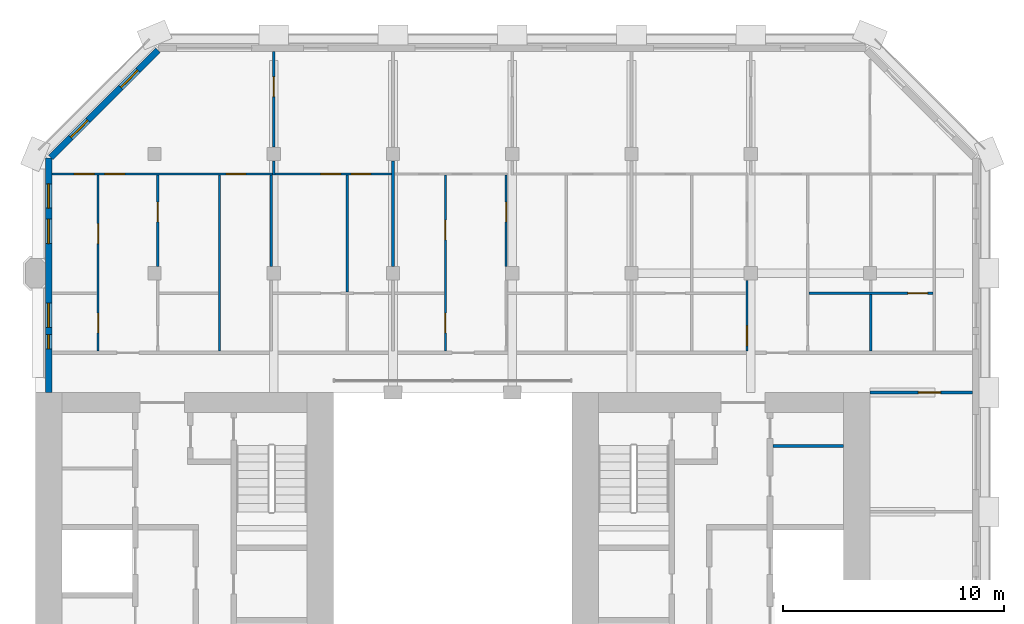
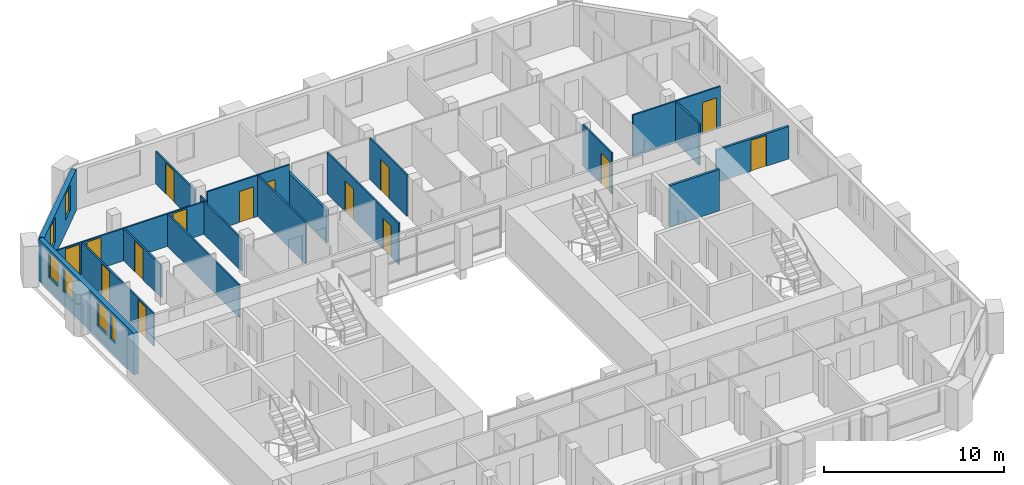
# One storey, part 8 of 13: 19 walls, 15 doors, 6 windows, 21 openings.
"""IFC4 building model written with IfcOpenShell, lengths in metres."""

from ifc_helpers import new_model, si_unit, direction, frame, frame_2d, origin, place, context, subcontext, project, spatial, rectangle, extrude, material, layer, layer_set, type_object, element, fill, save


model = new_model("IFC4")

# Units and contexts
model_context = context("Model", 3, precision=1e-05, world=origin(), true_north=direction((0.0, 1.0)))
body_context = subcontext(model_context, "Body", "Model", "MODEL_VIEW")
ifc_project = project(units=[si_unit("LENGTHUNIT", "METRE"), si_unit("AREAUNIT", "SQUARE_METRE"), si_unit("VOLUMEUNIT", "CUBIC_METRE"), si_unit("PLANEANGLEUNIT", "RADIAN"), si_unit("MASSUNIT", "GRAM", prefix="KILO")], contexts=[model_context])

# Site, building, storey
site_placement = place(None, origin())
site = spatial("IfcSite", under=ifc_project, at=site_placement, CompositionType="ELEMENT")
building_placement = place(site_placement, origin())
building = spatial("IfcBuilding", under=site, at=building_placement, Name="Tabaq Tower and Sports Hall", CompositionType="ELEMENT")
storey_placement = place(building_placement, frame((0.0, 0.0, 304.89990234375)))
storey = spatial("IfcBuildingStorey", under=building, at=storey_placement, Name="L76", CompositionType="ELEMENT", Elevation=304.89990234375)

# Wall
ifc_material_1 = material(Name="Blockwork", Category="masonry")
ifc_layer_1 = layer(ifc_material_1, 0.14990234375)
ifc_layer_set_1 = layer_set([ifc_layer_1], Name="Core room partition 150 Blockwork")
wall_type_1 = type_object("IfcWallType", Name="Core room partition 150 Blockwork", PredefinedType="PARTITIONING", material=ifc_layer_set_1)
wall_1_placement = place(storey_placement, frame((38.800048828125, 29.97705078125, 0.0), z_axis=(0.0, 0.0, 1.0), x_axis=(1.0, 0.0, 0.0)))
element("IfcWall", 1, at=wall_1_placement, inside=storey, type_object=wall_type_1, Name="Core room partition E L76", PredefinedType="PARTITIONING", context=body_context, shape_type="SweptSolid", body=[
    extrude(rectangle(XDim=3.199951171875, YDim=0.14990234375, at=frame_2d((1.60009765625, 0.0))), origin(), (0.0, 0.0, 1.0), 2.800048828125),
])

# Wall, openings, doors
ifc_material_2 = material(Name="Gypsum board on steel studs", Category="steel")
ifc_layer_2 = layer(ifc_material_2, 0.10009765625)
ifc_layer_set_2 = layer_set([ifc_layer_2], Name="Partition 100 Gypsum board")
wall_type_2 = type_object("IfcWallType", Name="Partition 100 Gypsum board", PredefinedType="PARTITIONING", material=ifc_layer_set_2)
wall_2_placement = place(storey_placement, frame((6.15087890625, 42.300048828125, 0.0), z_axis=(0.0, 0.0, 1.0), x_axis=(1.0, 0.0, 0.0)))
wall_2 = element("IfcWall", 2, at=wall_2_placement, inside=storey, type_object=wall_type_2, Name="Partition wall L76", PredefinedType="PARTITIONING", context=body_context, shape_type="SweptSolid", body=[
    extrude(rectangle(XDim=9.97900390625, YDim=0.10009765625, at=frame_2d((4.989501953125, 0.0))), origin(), (0.0, 0.0, 1.0), 2.2001953125),
])
opening_1_placement = place(wall_2_placement, frame((7.888916015625, 0.0, 0.0)))
opening_1 = element("IfcOpeningElement", 3, at=opening_1_placement, cuts=wall_2, Name="Opening L76-001", PredefinedType="OPENING", context=body_context, shape_type="SweptSolid", body=[
    extrude(rectangle(XDim=0.89990234375, YDim=2.10009765625, at=frame_2d((0.449951171875, 1.050048828125))), frame((0.0, 0.050048828125, 0.0), z_axis=(0.0, -1.0, 0.0), x_axis=(1.0, 0.0, 0.0)), (0.0, 0.0, 1.0), 0.10009765625),
])
opening_2_placement = place(wall_2_placement, frame((1.01904296875, 0.0, 0.0)))
opening_2 = element("IfcOpeningElement", 4, at=opening_2_placement, cuts=wall_2, Name="Opening L76-028", PredefinedType="OPENING", context=body_context, shape_type="SweptSolid", body=[
    extrude(rectangle(XDim=0.89990234375, YDim=2.10009765625, at=frame_2d((0.449951171875, 1.050048828125))), frame((0.0, 0.050048828125, 0.0), z_axis=(0.0, -1.0, 0.0), x_axis=(1.0, 0.0, 0.0)), (0.0, 0.0, 1.0), 0.10009765625),
])
opening_3_placement = place(wall_2_placement, frame((2.388916015625, 0.0, 0.0)))
opening_3 = element("IfcOpeningElement", 5, at=opening_3_placement, cuts=wall_2, Name="Opening L76-059", PredefinedType="OPENING", context=body_context, shape_type="SweptSolid", body=[
    extrude(rectangle(XDim=0.89990234375, YDim=2.10009765625, at=frame_2d((0.449951171875, 1.050048828125))), frame((0.0, 0.050048828125, 0.0), z_axis=(0.0, -1.0, 0.0), x_axis=(1.0, 0.0, 0.0)), (0.0, 0.0, 1.0), 0.10009765625),
])
ifc_material_3 = material(Name="Timber leaf in steel frame", Category="steel")
door_type_1 = type_object("IfcDoorType", Name="Internal door 900 left hand", OperationType="SINGLE_SWING_LEFT", PredefinedType="DOOR", material=ifc_material_3)
door_1_placement = place(opening_1_placement, origin())
door_1 = element("IfcDoor", 6, at=door_1_placement, inside=storey, type_object=door_type_1, Name="Internal door L76-001", OperationType="SINGLE_SWING_LEFT", OverallHeight=2.10009765625, OverallWidth=0.89990234375, PredefinedType="DOOR", context=body_context, shape_type="SweptSolid", body=[
    extrude(rectangle(XDim=0.89990234375, YDim=2.10009765625, at=frame_2d((0.449951171875, 1.050048828125))), frame((0.0, 0.02490234375, 0.0), z_axis=(0.0, -1.0, 0.0), x_axis=(1.0, 0.0, 0.0)), (0.0, 0.0, 1.0), 0.050048828125),
])
fill(opening_1, door_1)
door_2_placement = place(opening_3_placement, origin())
door_2 = element("IfcDoor", 7, at=door_2_placement, inside=storey, type_object=door_type_1, Name="Internal door L76-059", OperationType="SINGLE_SWING_LEFT", OverallHeight=2.10009765625, OverallWidth=0.89990234375, PredefinedType="DOOR", context=body_context, shape_type="SweptSolid", body=[
    extrude(rectangle(XDim=0.89990234375, YDim=2.10009765625, at=frame_2d((0.449951171875, 1.050048828125))), frame((0.0, 0.02490234375, 0.0), z_axis=(0.0, -1.0, 0.0), x_axis=(1.0, 0.0, 0.0)), (0.0, 0.0, 1.0), 0.050048828125),
])
fill(opening_3, door_2)
ifc_material_4 = material(Name="Timber leaf in steel frame", Category="steel")
door_type_2 = type_object("IfcDoorType", Name="Internal door 900 right hand", OperationType="SINGLE_SWING_RIGHT", PredefinedType="DOOR", material=ifc_material_4)
door_3_placement = place(opening_2_placement, origin())
door_3 = element("IfcDoor", 8, at=door_3_placement, inside=storey, type_object=door_type_2, Name="Internal door L76-028", OperationType="SINGLE_SWING_RIGHT", OverallHeight=2.10009765625, OverallWidth=0.89990234375, PredefinedType="DOOR", context=body_context, shape_type="SweptSolid", body=[
    extrude(rectangle(XDim=0.89990234375, YDim=2.10009765625, at=frame_2d((0.449951171875, 1.050048828125))), frame((0.0, 0.02490234375, 0.0), z_axis=(0.0, -1.0, 0.0), x_axis=(1.0, 0.0, 0.0)), (0.0, 0.0, 1.0), 0.050048828125),
])
fill(opening_2, door_3)

# Wall
wall_3_placement = place(storey_placement, frame((16.199951171875, 42.25, 0.0), z_axis=(0.0, 0.0, 1.0), x_axis=(0.0, 1.0, 0.0)))
element("IfcWall", 9, at=wall_3_placement, inside=storey, type_object=wall_type_2, Name="Partition wall L76", PredefinedType="PARTITIONING", context=body_context, shape_type="SweptSolid", body=[
    extrude(rectangle(XDim=0.6298828125, YDim=0.10009765625, at=frame_2d((0.31494140625, 0.0))), origin(), (0.0, 0.0, 1.0), 2.2001953125),
])

# Wall, opening, door
wall_4_placement = place(storey_placement, frame((16.199951171875, 43.52001953125, 0.0), z_axis=(0.0, 0.0, 1.0), x_axis=(0.0, 1.0, 0.0)))
wall_4 = element("IfcWall", 10, at=wall_4_placement, inside=storey, type_object=wall_type_2, Name="Partition wall L76", PredefinedType="PARTITIONING", context=body_context, shape_type="SweptSolid", body=[
    extrude(rectangle(XDim=4.3291015625, YDim=0.10009765625, at=frame_2d((2.16455078125, 0.0))), origin(), (0.0, 0.0, 1.0), 2.2001953125),
])
opening_4_placement = place(wall_4_placement, frame((2.280029296875, 0.0, 0.0)))
opening_4 = element("IfcOpeningElement", 11, at=opening_4_placement, cuts=wall_4, Name="Opening L76-051", PredefinedType="OPENING", context=body_context, shape_type="SweptSolid", body=[
    extrude(rectangle(XDim=0.89990234375, YDim=2.10009765625, at=frame_2d((0.449951171875, 1.050048828125))), frame((0.0, 0.050048828125, 0.0), z_axis=(0.0, -1.0, 0.0), x_axis=(1.0, 0.0, 0.0)), (0.0, 0.0, 1.0), 0.10009765625),
])
door_4_placement = place(opening_4_placement, origin())
door_4 = element("IfcDoor", 12, at=door_4_placement, inside=storey, type_object=door_type_2, Name="Internal door L76-051", OperationType="SINGLE_SWING_RIGHT", OverallHeight=2.10009765625, OverallWidth=0.89990234375, PredefinedType="DOOR", context=body_context, shape_type="SweptSolid", body=[
    extrude(rectangle(XDim=0.89990234375, YDim=2.10009765625, at=frame_2d((0.449951171875, 1.050048828125))), frame((0.0, 0.02490234375, 0.0), z_axis=(0.0, -1.0, 0.0), x_axis=(1.0, 0.0, 0.0)), (0.0, 0.0, 1.0), 0.050048828125),
])
fill(opening_4, door_4)

# Wall, openings, doors
wall_5_placement = place(storey_placement, frame((16.25, 42.300048828125, 0.0), z_axis=(0.0, 0.0, 1.0), x_axis=(1.0, 0.0, 0.0)))
wall_5 = element("IfcWall", 13, at=wall_5_placement, inside=storey, type_object=wall_type_2, Name="Partition wall L76", PredefinedType="PARTITIONING", context=body_context, shape_type="SweptSolid", body=[
    extrude(rectangle(XDim=5.27490234375, YDim=0.10009765625, at=frame_2d((2.637451171875, 0.0))), origin(), (0.0, 0.0, 1.0), 2.800048828125),
])
opening_5_placement = place(wall_5_placement, frame((2.080078125, 0.0, 0.0)))
opening_5 = element("IfcOpeningElement", 14, at=opening_5_placement, cuts=wall_5, Name="Opening L76-029", PredefinedType="OPENING", context=body_context, shape_type="SweptSolid", body=[
    extrude(rectangle(XDim=0.89990234375, YDim=2.10009765625, at=frame_2d((0.449951171875, 1.050048828125))), frame((0.0, 0.050048828125, 0.0), z_axis=(0.0, -1.0, 0.0), x_axis=(1.0, 0.0, 0.0)), (0.0, 0.0, 1.0), 0.10009765625),
])
opening_6_placement = place(wall_5_placement, frame((3.449951171875, 0.0, 0.0)))
opening_6 = element("IfcOpeningElement", 15, at=opening_6_placement, cuts=wall_5, Name="Opening L76-030", PredefinedType="OPENING", context=body_context, shape_type="SweptSolid", body=[
    extrude(rectangle(XDim=0.89990234375, YDim=2.10009765625, at=frame_2d((0.449951171875, 1.050048828125))), frame((0.0, 0.050048828125, 0.0), z_axis=(0.0, -1.0, 0.0), x_axis=(1.0, 0.0, 0.0)), (0.0, 0.0, 1.0), 0.10009765625),
])
door_5_placement = place(opening_6_placement, origin())
door_5 = element("IfcDoor", 16, at=door_5_placement, inside=storey, type_object=door_type_1, Name="Internal door L76-030", OperationType="SINGLE_SWING_LEFT", OverallHeight=2.10009765625, OverallWidth=0.89990234375, PredefinedType="DOOR", context=body_context, shape_type="SweptSolid", body=[
    extrude(rectangle(XDim=0.89990234375, YDim=2.10009765625, at=frame_2d((0.449951171875, 1.050048828125))), frame((0.0, 0.02490234375, 0.0), z_axis=(0.0, -1.0, 0.0), x_axis=(1.0, 0.0, 0.0)), (0.0, 0.0, 1.0), 0.050048828125),
])
fill(opening_6, door_5)
door_6_placement = place(opening_5_placement, origin())
door_6 = element("IfcDoor", 17, at=door_6_placement, inside=storey, type_object=door_type_2, Name="Internal door L76-029", OperationType="SINGLE_SWING_RIGHT", OverallHeight=2.10009765625, OverallWidth=0.89990234375, PredefinedType="DOOR", context=body_context, shape_type="SweptSolid", body=[
    extrude(rectangle(XDim=0.89990234375, YDim=2.10009765625, at=frame_2d((0.449951171875, 1.050048828125))), frame((0.0, 0.02490234375, 0.0), z_axis=(0.0, -1.0, 0.0), x_axis=(1.0, 0.0, 0.0)), (0.0, 0.0, 1.0), 0.050048828125),
])
fill(opening_5, door_6)

wall_6_placement = place(storey_placement, frame((8.239990234375, 34.27490234375, 0.0), z_axis=(0.0, 0.0, 1.0), x_axis=(0.0, 1.0, 0.0)))
wall_6 = element("IfcWall", 18, at=wall_6_placement, inside=storey, type_object=wall_type_2, Name="Partition wall L76", PredefinedType="PARTITIONING", context=body_context, shape_type="SweptSolid", body=[
    extrude(rectangle(XDim=7.97509765625, YDim=0.10009765625, at=frame_2d((3.987548828125, 0.0))), origin(), (0.0, 0.0, 1.0), 2.2001953125),
])
opening_7_placement = place(wall_6_placement, frame((0.824951171875, 0.0, 0.0)))
opening_7 = element("IfcOpeningElement", 19, at=opening_7_placement, cuts=wall_6, Name="Opening L76-002", PredefinedType="OPENING", context=body_context, shape_type="SweptSolid", body=[
    extrude(rectangle(XDim=0.89990234375, YDim=2.10009765625, at=frame_2d((0.449951171875, 1.050048828125))), frame((0.0, 0.050048828125, 0.0), z_axis=(0.0, -1.0, 0.0), x_axis=(1.0, 0.0, 0.0)), (0.0, 0.0, 1.0), 0.10009765625),
])
opening_8_placement = place(wall_6_placement, frame((4.875, 0.0, 0.0)))
opening_8 = element("IfcOpeningElement", 20, at=opening_8_placement, cuts=wall_6, Name="Opening L76-031", PredefinedType="OPENING", context=body_context, shape_type="SweptSolid", body=[
    extrude(rectangle(XDim=0.89990234375, YDim=2.10009765625, at=frame_2d((0.449951171875, 1.050048828125))), frame((0.0, 0.050048828125, 0.0), z_axis=(0.0, -1.0, 0.0), x_axis=(1.0, 0.0, 0.0)), (0.0, 0.0, 1.0), 0.10009765625),
])
door_7_placement = place(opening_7_placement, origin())
door_7 = element("IfcDoor", 21, at=door_7_placement, inside=storey, type_object=door_type_1, Name="Internal door L76-002", OperationType="SINGLE_SWING_LEFT", OverallHeight=2.10009765625, OverallWidth=0.89990234375, PredefinedType="DOOR", context=body_context, shape_type="SweptSolid", body=[
    extrude(rectangle(XDim=0.89990234375, YDim=2.10009765625, at=frame_2d((0.449951171875, 1.050048828125))), frame((0.0, 0.02490234375, 0.0), z_axis=(0.0, -1.0, 0.0), x_axis=(1.0, 0.0, 0.0)), (0.0, 0.0, 1.0), 0.050048828125),
])
fill(opening_7, door_7)
door_8_placement = place(opening_8_placement, origin())
door_8 = element("IfcDoor", 22, at=door_8_placement, inside=storey, type_object=door_type_2, Name="Internal door L76-031", OperationType="SINGLE_SWING_RIGHT", OverallHeight=2.10009765625, OverallWidth=0.89990234375, PredefinedType="DOOR", context=body_context, shape_type="SweptSolid", body=[
    extrude(rectangle(XDim=0.89990234375, YDim=2.10009765625, at=frame_2d((0.449951171875, 1.050048828125))), frame((0.0, 0.02490234375, 0.0), z_axis=(0.0, -1.0, 0.0), x_axis=(1.0, 0.0, 0.0)), (0.0, 0.0, 1.0), 0.050048828125),
])
fill(opening_8, door_8)

# Wall, opening, door
wall_7_placement = place(storey_placement, frame((10.93994140625, 38.1201171875, 0.0), z_axis=(0.0, 0.0, 1.0), x_axis=(0.0, 1.0, 0.0)))
wall_7 = element("IfcWall", 23, at=wall_7_placement, inside=storey, type_object=wall_type_2, Name="Partition wall L76", PredefinedType="PARTITIONING", context=body_context, shape_type="SweptSolid", body=[
    extrude(rectangle(XDim=4.1298828125, YDim=0.10009765625, at=frame_2d((2.06494140625, 0.0))), origin(), (0.0, 0.0, 1.0), 2.2001953125),
])
opening_9_placement = place(wall_7_placement, frame((2.0048828125, 0.0, 0.0)))
opening_9 = element("IfcOpeningElement", 24, at=opening_9_placement, cuts=wall_7, Name="Opening L76-003", PredefinedType="OPENING", context=body_context, shape_type="SweptSolid", body=[
    extrude(rectangle(XDim=0.89990234375, YDim=2.10009765625, at=frame_2d((0.449951171875, 1.050048828125))), frame((0.0, 0.050048828125, 0.0), z_axis=(0.0, -1.0, 0.0), x_axis=(1.0, 0.0, 0.0)), (0.0, 0.0, 1.0), 0.10009765625),
])
door_9_placement = place(opening_9_placement, origin())
door_9 = element("IfcDoor", 25, at=door_9_placement, inside=storey, type_object=door_type_2, Name="Internal door L76-003", OperationType="SINGLE_SWING_RIGHT", OverallHeight=2.10009765625, OverallWidth=0.89990234375, PredefinedType="DOOR", context=body_context, shape_type="SweptSolid", body=[
    extrude(rectangle(XDim=0.89990234375, YDim=2.10009765625, at=frame_2d((0.449951171875, 1.050048828125))), frame((0.0, 0.02490234375, 0.0), z_axis=(0.0, -1.0, 0.0), x_axis=(1.0, 0.0, 0.0)), (0.0, 0.0, 1.0), 0.050048828125),
])
fill(opening_9, door_9)

# Walls
wall_8_placement = place(storey_placement, frame((13.739990234375, 34.27490234375, 0.0), z_axis=(0.0, 0.0, 1.0), x_axis=(0.0, 1.0, 0.0)))
element("IfcWall", 26, at=wall_8_placement, inside=storey, type_object=wall_type_2, Name="Partition wall L76", PredefinedType="PARTITIONING", context=body_context, shape_type="SweptSolid", body=[
    extrude(rectangle(XDim=7.97509765625, YDim=0.10009765625, at=frame_2d((3.987548828125, 0.0))), origin(), (0.0, 0.0, 1.0), 2.2001953125),
])
wall_9_placement = place(storey_placement, frame((16.080078125, 38.1201171875, 0.0), z_axis=(0.0, 0.0, 1.0), x_axis=(0.0, 1.0, 0.0)))
element("IfcWall", 27, at=wall_9_placement, inside=storey, type_object=wall_type_2, Name="Partition wall L76", PredefinedType="PARTITIONING", context=body_context, shape_type="SweptSolid", body=[
    extrude(rectangle(XDim=4.1298828125, YDim=0.10009765625, at=frame_2d((2.06494140625, 0.0))), origin(), (0.0, 0.0, 1.0), 2.2001953125),
])
wall_10_placement = place(storey_placement, frame((19.530029296875, 36.949951171875, 0.0), z_axis=(0.0, 0.0, 1.0), x_axis=(0.0, 1.0, 0.0)))
element("IfcWall", 28, at=wall_10_placement, inside=storey, type_object=wall_type_2, Name="Partition wall L76", PredefinedType="PARTITIONING", context=body_context, shape_type="SweptSolid", body=[
    extrude(rectangle(XDim=5.300048828125, YDim=0.10009765625, at=frame_2d((2.64990234375, 0.0))), origin(), (0.0, 0.0, 1.0), 2.800048828125),
])

# Wall, openings, doors
wall_11_placement = place(storey_placement, frame((23.971923828125, 34.27490234375, 0.0), z_axis=(0.0, 0.0, 1.0), x_axis=(0.0, 1.0, 0.0)))
wall_11 = element("IfcWall", 29, at=wall_11_placement, inside=storey, type_object=wall_type_2, Name="Partition wall L76", PredefinedType="PARTITIONING", context=body_context, shape_type="SweptSolid", body=[
    extrude(rectangle(XDim=7.97509765625, YDim=0.10009765625, at=frame_2d((3.987548828125, 0.0))), origin(), (0.0, 0.0, 1.0), 2.800048828125),
])
opening_10_placement = place(wall_11_placement, frame((0.824951171875, 0.0, 0.0)))
opening_10 = element("IfcOpeningElement", 30, at=opening_10_placement, cuts=wall_11, Name="Opening L76-007", PredefinedType="OPENING", context=body_context, shape_type="SweptSolid", body=[
    extrude(rectangle(XDim=0.89990234375, YDim=2.10009765625, at=frame_2d((0.449951171875, 1.050048828125))), frame((0.0, 0.050048828125, 0.0), z_axis=(0.0, -1.0, 0.0), x_axis=(1.0, 0.0, 0.0)), (0.0, 0.0, 1.0), 0.10009765625),
])
opening_11_placement = place(wall_11_placement, frame((5.037109375, 0.0, 0.0)))
opening_11 = element("IfcOpeningElement", 31, at=opening_11_placement, cuts=wall_11, Name="Opening L76-035", PredefinedType="OPENING", context=body_context, shape_type="SweptSolid", body=[
    extrude(rectangle(XDim=0.89990234375, YDim=2.10009765625, at=frame_2d((0.449951171875, 1.050048828125))), frame((0.0, 0.050048828125, 0.0), z_axis=(0.0, -1.0, 0.0), x_axis=(1.0, 0.0, 0.0)), (0.0, 0.0, 1.0), 0.10009765625),
])
door_10_placement = place(opening_11_placement, origin())
door_10 = element("IfcDoor", 32, at=door_10_placement, inside=storey, type_object=door_type_1, Name="Internal door L76-035", OperationType="SINGLE_SWING_LEFT", OverallHeight=2.10009765625, OverallWidth=0.89990234375, PredefinedType="DOOR", context=body_context, shape_type="SweptSolid", body=[
    extrude(rectangle(XDim=0.89990234375, YDim=2.10009765625, at=frame_2d((0.449951171875, 1.050048828125))), frame((0.0, 0.02490234375, 0.0), z_axis=(0.0, -1.0, 0.0), x_axis=(1.0, 0.0, 0.0)), (0.0, 0.0, 1.0), 0.050048828125),
])
fill(opening_11, door_10)
door_11_placement = place(opening_10_placement, origin())
door_11 = element("IfcDoor", 33, at=door_11_placement, inside=storey, type_object=door_type_2, Name="Internal door L76-007", OperationType="SINGLE_SWING_RIGHT", OverallHeight=2.10009765625, OverallWidth=0.89990234375, PredefinedType="DOOR", context=body_context, shape_type="SweptSolid", body=[
    extrude(rectangle(XDim=0.89990234375, YDim=2.10009765625, at=frame_2d((0.449951171875, 1.050048828125))), frame((0.0, 0.02490234375, 0.0), z_axis=(0.0, -1.0, 0.0), x_axis=(1.0, 0.0, 0.0)), (0.0, 0.0, 1.0), 0.050048828125),
])
fill(opening_10, door_11)

# Wall, opening, door
wall_12_placement = place(storey_placement, frame((26.721923828125, 38.1201171875, 0.0), z_axis=(0.0, 0.0, 1.0), x_axis=(0.0, 1.0, 0.0)))
wall_12 = element("IfcWall", 34, at=wall_12_placement, inside=storey, type_object=wall_type_2, Name="Partition wall L76", PredefinedType="PARTITIONING", context=body_context, shape_type="SweptSolid", body=[
    extrude(rectangle(XDim=4.1298828125, YDim=0.10009765625, at=frame_2d((2.06494140625, 0.0))), origin(), (0.0, 0.0, 1.0), 2.800048828125),
])
opening_12_placement = place(wall_12_placement, frame((2.0048828125, 0.0, 0.0)))
opening_12 = element("IfcOpeningElement", 35, at=opening_12_placement, cuts=wall_12, Name="Opening L76-008", PredefinedType="OPENING", context=body_context, shape_type="SweptSolid", body=[
    extrude(rectangle(XDim=0.89990234375, YDim=2.10009765625, at=frame_2d((0.449951171875, 1.050048828125))), frame((0.0, 0.050048828125, 0.0), z_axis=(0.0, -1.0, 0.0), x_axis=(1.0, 0.0, 0.0)), (0.0, 0.0, 1.0), 0.10009765625),
])
door_12_placement = place(opening_12_placement, origin())
door_12 = element("IfcDoor", 36, at=door_12_placement, inside=storey, type_object=door_type_1, Name="Internal door L76-008", OperationType="SINGLE_SWING_LEFT", OverallHeight=2.10009765625, OverallWidth=0.89990234375, PredefinedType="DOOR", context=body_context, shape_type="SweptSolid", body=[
    extrude(rectangle(XDim=0.89990234375, YDim=2.10009765625, at=frame_2d((0.449951171875, 1.050048828125))), frame((0.0, 0.02490234375, 0.0), z_axis=(0.0, -1.0, 0.0), x_axis=(1.0, 0.0, 0.0)), (0.0, 0.0, 1.0), 0.050048828125),
])
fill(opening_12, door_12)

wall_13_placement = place(storey_placement, frame((37.635009765625, 34.27490234375, 0.0), z_axis=(0.0, 0.0, 1.0), x_axis=(0.0, 1.0, 0.0)))
wall_13 = element("IfcWall", 37, at=wall_13_placement, inside=storey, type_object=wall_type_2, Name="Partition wall L76", PredefinedType="PARTITIONING", context=body_context, shape_type="SweptSolid", body=[
    extrude(rectangle(XDim=3.205078125, YDim=0.10009765625, at=frame_2d((1.6025390625, 0.0))), origin(), (0.0, 0.0, 1.0), 2.800048828125),
])
opening_13_placement = place(wall_13_placement, frame((0.25, 0.0, 0.0)))
opening_13 = element("IfcOpeningElement", 38, at=opening_13_placement, cuts=wall_13, Name="Opening L76-014", PredefinedType="OPENING", context=body_context, shape_type="SweptSolid", body=[
    extrude(rectangle(XDim=0.89990234375, YDim=2.10009765625, at=frame_2d((0.449951171875, 1.050048828125))), frame((0.0, 0.050048828125, 0.0), z_axis=(0.0, -1.0, 0.0), x_axis=(1.0, 0.0, 0.0)), (0.0, 0.0, 1.0), 0.10009765625),
])
door_13_placement = place(opening_13_placement, origin())
door_13 = element("IfcDoor", 39, at=door_13_placement, inside=storey, type_object=door_type_1, Name="Internal door L76-014", OperationType="SINGLE_SWING_LEFT", OverallHeight=2.10009765625, OverallWidth=0.89990234375, PredefinedType="DOOR", context=body_context, shape_type="SweptSolid", body=[
    extrude(rectangle(XDim=0.89990234375, YDim=2.10009765625, at=frame_2d((0.449951171875, 1.050048828125))), frame((0.0, 0.02490234375, 0.0), z_axis=(0.0, -1.0, 0.0), x_axis=(1.0, 0.0, 0.0)), (0.0, 0.0, 1.0), 0.050048828125),
])
fill(opening_13, door_13)

# Wall
wall_14_placement = place(storey_placement, frame((43.235107421875, 34.27490234375, 0.0), z_axis=(0.0, 0.0, 1.0), x_axis=(0.0, 1.0, 0.0)))
element("IfcWall", 40, at=wall_14_placement, inside=storey, type_object=wall_type_2, Name="Partition wall L76", PredefinedType="PARTITIONING", context=body_context, shape_type="SweptSolid", body=[
    extrude(rectangle(XDim=2.5751953125, YDim=0.10009765625, at=frame_2d((1.28759765625, 0.0))), origin(), (0.0, 0.0, 1.0), 2.800048828125),
])

# Wall, opening, door
wall_15_placement = place(storey_placement, frame((40.43505859375, 36.89990234375, 0.0), z_axis=(0.0, 0.0, 1.0), x_axis=(1.0, 0.0, 0.0)))
wall_15 = element("IfcWall", 41, at=wall_15_placement, inside=storey, type_object=wall_type_2, Name="Partition wall L76", PredefinedType="PARTITIONING", context=body_context, shape_type="SweptSolid", body=[
    extrude(rectangle(XDim=5.6298828125, YDim=0.10009765625, at=frame_2d((2.81494140625, 0.0))), origin(), (0.0, 0.0, 1.0), 2.800048828125),
])
opening_14_placement = place(wall_15_placement, frame((4.47998046875, 0.0, 0.0)))
opening_14 = element("IfcOpeningElement", 42, at=opening_14_placement, cuts=wall_15, Name="Opening L76-017", PredefinedType="OPENING", context=body_context, shape_type="SweptSolid", body=[
    extrude(rectangle(XDim=0.89990234375, YDim=2.10009765625, at=frame_2d((0.449951171875, 1.050048828125))), frame((0.0, 0.050048828125, 0.0), z_axis=(0.0, -1.0, 0.0), x_axis=(1.0, 0.0, 0.0)), (0.0, 0.0, 1.0), 0.10009765625),
])
door_14_placement = place(opening_14_placement, origin())
door_14 = element("IfcDoor", 43, at=door_14_placement, inside=storey, type_object=door_type_1, Name="Internal door L76-017", OperationType="SINGLE_SWING_LEFT", OverallHeight=2.10009765625, OverallWidth=0.89990234375, PredefinedType="DOOR", context=body_context, shape_type="SweptSolid", body=[
    extrude(rectangle(XDim=0.89990234375, YDim=2.10009765625, at=frame_2d((0.449951171875, 1.050048828125))), frame((0.0, 0.02490234375, 0.0), z_axis=(0.0, -1.0, 0.0), x_axis=(1.0, 0.0, 0.0)), (0.0, 0.0, 1.0), 0.050048828125),
])
fill(opening_14, door_14)

# Wall
ifc_material_5 = material(Name="Blockwork", Category="masonry")
ifc_layer_3 = layer(ifc_material_5, 0.14990234375)
ifc_layer_set_3 = layer_set([ifc_layer_3], Name="Separating wall 150 Blockwork")
wall_type_3 = type_object("IfcWallType", Name="Separating wall 150 Blockwork", PredefinedType="PARTITIONING", material=ifc_layer_set_3)
wall_16_placement = place(storey_placement, frame((21.60009765625, 38.1201171875, 0.0), z_axis=(0.0, 0.0, 1.0), x_axis=(0.0, 1.0, 0.0)))
element("IfcWall", 44, at=wall_16_placement, inside=storey, type_object=wall_type_3, Name="Separating wall L76", PredefinedType="PARTITIONING", context=body_context, shape_type="SweptSolid", body=[
    extrude(rectangle(XDim=4.759765625, YDim=0.14990234375, at=frame_2d((2.3798828125, 0.0))), origin(), (0.0, 0.0, 1.0), 2.2001953125),
])

# Wall, opening, door
wall_17_placement = place(storey_placement, frame((47.84912109375, 32.39990234375, 0.0), z_axis=(0.0, 0.0, 1.0), x_axis=(-1.0, 0.0, 0.0)))
wall_17 = element("IfcWall", 45, at=wall_17_placement, inside=storey, type_object=wall_type_3, Name="Separating wall L76", PredefinedType="PARTITIONING", context=body_context, shape_type="SweptSolid", body=[
    extrude(rectangle(XDim=4.649169921875, YDim=0.14990234375, at=frame_2d((2.32470703125, 0.0))), origin(), (0.0, 0.0, 1.0), 2.2001953125),
])
opening_15_placement = place(wall_17_placement, frame((1.448974609375, 0.0, 0.0)))
opening_15 = element("IfcOpeningElement", 46, at=opening_15_placement, cuts=wall_17, Name="Opening L76-018", PredefinedType="OPENING", context=body_context, shape_type="SweptSolid", body=[
    extrude(rectangle(XDim=1.0, YDim=2.10009765625, at=frame_2d((0.5, 1.050048828125))), frame((0.0, 0.074951171875, 0.0), z_axis=(0.0, -1.0, 0.0), x_axis=(1.0, 0.0, 0.0)), (0.0, 0.0, 1.0), 0.14990234375),
])
ifc_material_6 = material(Name="Timber leaf in steel frame", Category="steel")
door_type_3 = type_object("IfcDoorType", Name="Internal door 1000 left hand", OperationType="SINGLE_SWING_LEFT", PredefinedType="DOOR", material=ifc_material_6)
door_15_placement = place(opening_15_placement, origin())
door_15 = element("IfcDoor", 47, at=door_15_placement, inside=storey, type_object=door_type_3, Name="Internal door L76-018", OperationType="SINGLE_SWING_LEFT", OverallHeight=2.10009765625, OverallWidth=1.0, PredefinedType="DOOR", context=body_context, shape_type="SweptSolid", body=[
    extrude(rectangle(XDim=1.0, YDim=2.10009765625, at=frame_2d((0.5, 1.050048828125))), frame((0.0, 0.02490234375, 0.0), z_axis=(0.0, -1.0, 0.0), x_axis=(1.0, 0.0, 0.0)), (0.0, 0.0, 1.0), 0.050048828125),
])
fill(opening_15, door_15)

# Wall, openings, windows
ifc_material_7 = material(Name="White precast concrete C60/75", Category="concrete")
ifc_layer_4 = layer(ifc_material_7, 0.300048828125)
ifc_layer_set_4 = layer_set([ifc_layer_4], Name="White precast concrete C60/75 external wall 300")
wall_type_4 = type_object("IfcWallType", Name="White precast concrete C60/75 external wall 300", PredefinedType="SOLIDWALL", material=ifc_layer_set_4)
wall_18_placement = place(storey_placement, frame((10.949462890625, 47.901123046875, 0.0), z_axis=(0.0, 0.0, 1.0), x_axis=(-0.707106781187, -0.707106781187, 0.0)))
wall_18 = element("IfcWall", 48, at=wall_18_placement, inside=storey, type_object=wall_type_4, Name="External Wall L76 NW", PredefinedType="SOLIDWALL", context=body_context, shape_type="SweptSolid", body=[
    extrude(rectangle(XDim=6.85986328125, YDim=0.300048828125, at=frame_2d((3.429931640625, 0.0))), origin(), (0.0, 0.0, 1.0), 2.800048828125),
])
opening_16_placement = place(wall_18_placement, frame((1.27978515625, 0.0, 0.89990234375)))
opening_16 = element("IfcOpeningElement", 49, at=opening_16_placement, cuts=wall_18, Name="Opening W1B", PredefinedType="OPENING", context=body_context, shape_type="SweptSolid", body=[
    extrude(rectangle(XDim=1.10009765625, YDim=1.699951171875, at=frame_2d((0.550048828125, 0.85009765625))), frame((0.0, 0.16015625, 0.0), z_axis=(0.0, -1.0, 0.0), x_axis=(1.0, 0.0, 0.0)), (0.0, 0.0, 1.0), 0.320068359375),
])
opening_17_placement = place(wall_18_placement, frame((4.479736328125, 0.0, 0.89990234375)))
opening_17 = element("IfcOpeningElement", 50, at=opening_17_placement, cuts=wall_18, Name="Opening W1B", PredefinedType="OPENING", context=body_context, shape_type="SweptSolid", body=[
    extrude(rectangle(XDim=1.10009765625, YDim=1.699951171875, at=frame_2d((0.550048828125, 0.85009765625))), frame((0.0, 0.16015625, 0.0), z_axis=(0.0, -1.0, 0.0), x_axis=(1.0, 0.0, 0.0)), (0.0, 0.0, 1.0), 0.320068359375),
])
ifc_material_8 = material(Name="Aluminium framed clear glazing", Category="aluminium")
window_type_1 = type_object("IfcWindowType", Name="Window W1B", PartitioningType="SINGLE_PANEL", PredefinedType="WINDOW", material=ifc_material_8)
window_1_placement = place(opening_16_placement, origin())
window_1 = element("IfcWindow", 51, at=window_1_placement, inside=storey, type_object=window_type_1, Name="Window W1B L76", OverallHeight=1.699951171875, OverallWidth=1.10009765625, PartitioningType="SINGLE_PANEL", PredefinedType="WINDOW", context=body_context, shape_type="SweptSolid", body=[
    extrude(rectangle(XDim=1.10009765625, YDim=1.699951171875, at=frame_2d((0.550048828125, 0.85009765625))), frame((0.0, 0.030029296875, 0.0), z_axis=(0.0, -1.0, 0.0), x_axis=(1.0, 0.0, 0.0)), (0.0, 0.0, 1.0), 0.06005859375),
])
fill(opening_16, window_1)
window_2_placement = place(opening_17_placement, origin())
window_2 = element("IfcWindow", 52, at=window_2_placement, inside=storey, type_object=window_type_1, Name="Window W1B L76", OverallHeight=1.699951171875, OverallWidth=1.10009765625, PartitioningType="SINGLE_PANEL", PredefinedType="WINDOW", context=body_context, shape_type="SweptSolid", body=[
    extrude(rectangle(XDim=1.10009765625, YDim=1.699951171875, at=frame_2d((0.550048828125, 0.85009765625))), frame((0.0, 0.030029296875, 0.0), z_axis=(0.0, -1.0, 0.0), x_axis=(1.0, 0.0, 0.0)), (0.0, 0.0, 1.0), 0.06005859375),
])
fill(opening_17, window_2)

wall_19_placement = place(storey_placement, frame((6.0, 43.013671875, 0.0), z_axis=(0.0, 0.0, 1.0), x_axis=(0.0, -1.0, 0.0)))
wall_19 = element("IfcWall", 53, at=wall_19_placement, inside=storey, type_object=wall_type_4, Name="External Wall L76 W", PredefinedType="SOLIDWALL", context=body_context, shape_type="SweptSolid", body=[
    extrude(rectangle(XDim=10.61376953125, YDim=0.300048828125, at=frame_2d((5.306884765625, 0.0))), origin(), (0.0, 0.0, 1.0), 2.800048828125),
])
opening_18_placement = place(wall_19_placement, frame((1.16357421875, 0.0, 0.89990234375)))
opening_18 = element("IfcOpeningElement", 54, at=opening_18_placement, cuts=wall_19, Name="Opening W1B", PredefinedType="OPENING", context=body_context, shape_type="SweptSolid", body=[
    extrude(rectangle(XDim=1.10009765625, YDim=1.699951171875, at=frame_2d((0.550048828125, 0.85009765625))), frame((0.0, 0.16015625, 0.0), z_axis=(0.0, -1.0, 0.0), x_axis=(1.0, 0.0, 0.0)), (0.0, 0.0, 1.0), 0.320068359375),
])
opening_19_placement = place(wall_19_placement, frame((2.763671875, 0.0, 0.89990234375)))
opening_19 = element("IfcOpeningElement", 55, at=opening_19_placement, cuts=wall_19, Name="Opening W1B", PredefinedType="OPENING", context=body_context, shape_type="SweptSolid", body=[
    extrude(rectangle(XDim=1.10009765625, YDim=1.699951171875, at=frame_2d((0.550048828125, 0.85009765625))), frame((0.0, 0.16015625, 0.0), z_axis=(0.0, -1.0, 0.0), x_axis=(1.0, 0.0, 0.0)), (0.0, 0.0, 1.0), 0.320068359375),
])
opening_20_placement = place(wall_19_placement, frame((6.563720703125, 0.0, 0.89990234375)))
opening_20 = element("IfcOpeningElement", 56, at=opening_20_placement, cuts=wall_19, Name="Opening W1B", PredefinedType="OPENING", context=body_context, shape_type="SweptSolid", body=[
    extrude(rectangle(XDim=1.10009765625, YDim=1.699951171875, at=frame_2d((0.550048828125, 0.85009765625))), frame((0.0, 0.16015625, 0.0), z_axis=(0.0, -1.0, 0.0), x_axis=(1.0, 0.0, 0.0)), (0.0, 0.0, 1.0), 0.320068359375),
])
opening_21_placement = place(wall_19_placement, frame((7.988525390625, 0.0, 0.89990234375)))
opening_21 = element("IfcOpeningElement", 57, at=opening_21_placement, cuts=wall_19, Name="Opening W1C", PredefinedType="OPENING", context=body_context, shape_type="SweptSolid", body=[
    extrude(rectangle(XDim=0.64990234375, YDim=1.699951171875, at=frame_2d((0.324951171875, 0.85009765625))), frame((0.0, 0.16015625, 0.0), z_axis=(0.0, -1.0, 0.0), x_axis=(1.0, 0.0, 0.0)), (0.0, 0.0, 1.0), 0.320068359375),
])
window_3_placement = place(opening_18_placement, origin())
window_3 = element("IfcWindow", 58, at=window_3_placement, inside=storey, type_object=window_type_1, Name="Window W1B L76", OverallHeight=1.699951171875, OverallWidth=1.10009765625, PartitioningType="SINGLE_PANEL", PredefinedType="WINDOW", context=body_context, shape_type="SweptSolid", body=[
    extrude(rectangle(XDim=1.10009765625, YDim=1.699951171875, at=frame_2d((0.550048828125, 0.85009765625))), frame((0.0, 0.030029296875, 0.0), z_axis=(0.0, -1.0, 0.0), x_axis=(1.0, 0.0, 0.0)), (0.0, 0.0, 1.0), 0.06005859375),
])
fill(opening_18, window_3)
window_4_placement = place(opening_19_placement, origin())
window_4 = element("IfcWindow", 59, at=window_4_placement, inside=storey, type_object=window_type_1, Name="Window W1B L76", OverallHeight=1.699951171875, OverallWidth=1.10009765625, PartitioningType="SINGLE_PANEL", PredefinedType="WINDOW", context=body_context, shape_type="SweptSolid", body=[
    extrude(rectangle(XDim=1.10009765625, YDim=1.699951171875, at=frame_2d((0.550048828125, 0.85009765625))), frame((0.0, 0.030029296875, 0.0), z_axis=(0.0, -1.0, 0.0), x_axis=(1.0, 0.0, 0.0)), (0.0, 0.0, 1.0), 0.06005859375),
])
fill(opening_19, window_4)
window_5_placement = place(opening_20_placement, origin())
window_5 = element("IfcWindow", 60, at=window_5_placement, inside=storey, type_object=window_type_1, Name="Window W1B L76", OverallHeight=1.699951171875, OverallWidth=1.10009765625, PartitioningType="SINGLE_PANEL", PredefinedType="WINDOW", context=body_context, shape_type="SweptSolid", body=[
    extrude(rectangle(XDim=1.10009765625, YDim=1.699951171875, at=frame_2d((0.550048828125, 0.85009765625))), frame((0.0, 0.030029296875, 0.0), z_axis=(0.0, -1.0, 0.0), x_axis=(1.0, 0.0, 0.0)), (0.0, 0.0, 1.0), 0.06005859375),
])
fill(opening_20, window_5)
ifc_material_9 = material(Name="Aluminium framed clear glazing", Category="aluminium")
window_type_2 = type_object("IfcWindowType", Name="Window W1C", PartitioningType="SINGLE_PANEL", PredefinedType="WINDOW", material=ifc_material_9)
window_6_placement = place(opening_21_placement, origin())
window_6 = element("IfcWindow", 61, at=window_6_placement, inside=storey, type_object=window_type_2, Name="Window W1C L76", OverallHeight=1.699951171875, OverallWidth=0.64990234375, PartitioningType="SINGLE_PANEL", PredefinedType="WINDOW", context=body_context, shape_type="SweptSolid", body=[
    extrude(rectangle(XDim=0.64990234375, YDim=1.699951171875, at=frame_2d((0.324951171875, 0.85009765625))), frame((0.0, 0.030029296875, 0.0), z_axis=(0.0, -1.0, 0.0), x_axis=(1.0, 0.0, 0.0)), (0.0, 0.0, 1.0), 0.06005859375),
])
fill(opening_21, window_6)

save(model, "model.ifc")
